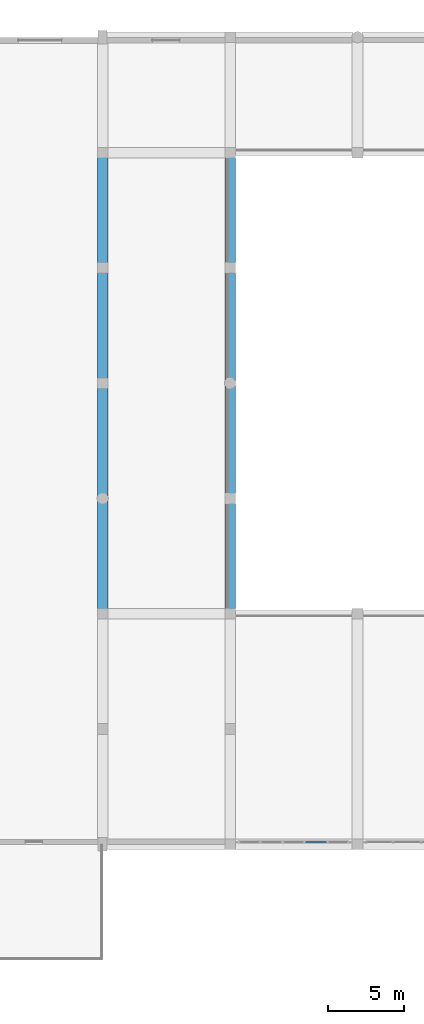
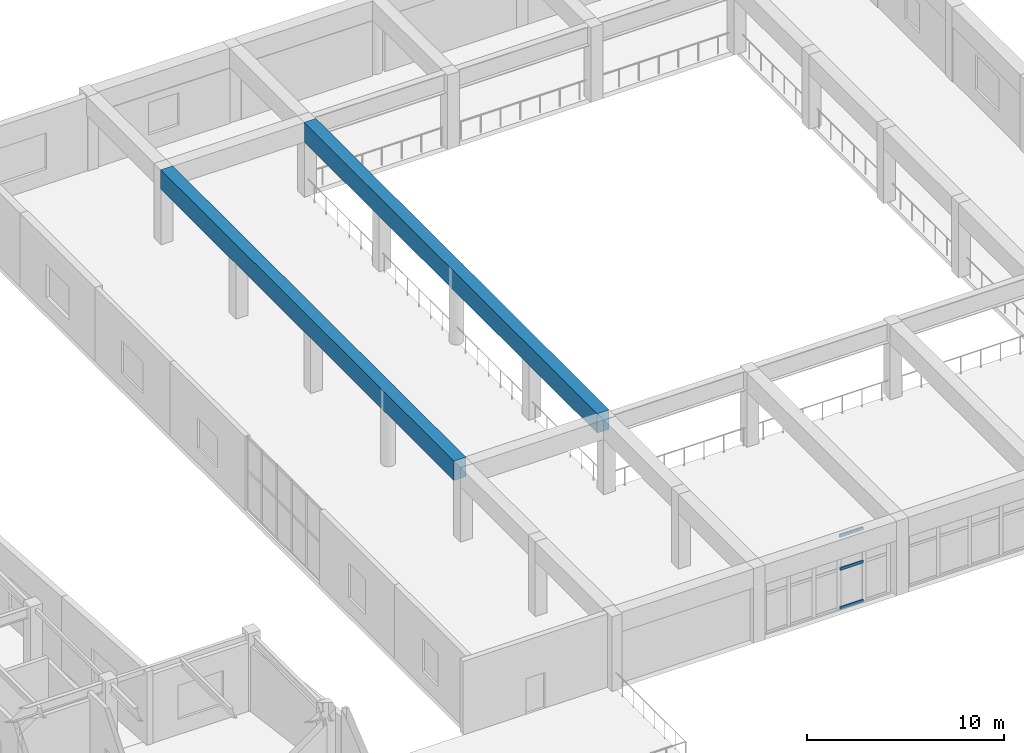
# One storey, part 17 of 72: 3 members, 2 beams, 1 element without a shape of its own.
"""IFC4 building model written with IfcOpenShell, lengths in metres."""

from ifc_helpers import new_model, si_unit, direction, frame, origin, origin_2d, place, context, subcontext, project, spatial, rectangle, hollow_rectangle, extrude, material, layer, layer_set, material_profile, profile_set, type_object, element, aggregate, save


model = new_model("IFC4")

# Units and contexts
model_context = context("Model", 3, precision=1e-05, world=origin(), true_north=direction((0.0, 1.0)))
body_context = subcontext(model_context, "Body", "Model", "MODEL_VIEW")
ifc_project = project(units=[si_unit("LENGTHUNIT", "METRE"), si_unit("AREAUNIT", "SQUARE_METRE"), si_unit("VOLUMEUNIT", "CUBIC_METRE"), si_unit("PLANEANGLEUNIT", "RADIAN"), si_unit("MASSUNIT", "GRAM", prefix="KILO")], contexts=[model_context])

# Site, building, storey
site_placement = place(None, origin())
site = spatial("IfcSite", under=ifc_project, at=site_placement, CompositionType="ELEMENT")
building_placement = place(site_placement, origin())
building = spatial("IfcBuilding", under=site, at=building_placement, Name="Xicomal Pleat Aquarium", CompositionType="ELEMENT")
storey_placement = place(building_placement, frame((0.0, 0.0, 10.5)))
storey = spatial("IfcBuildingStorey", under=building, at=storey_placement, Name="L03", CompositionType="ELEMENT", Elevation=10.5)

# Beams
ifc_material_1 = material(Name="Concrete C45/55", Category="concrete")
ifc_material_profile_1 = material_profile(ifc_material_1, rectangle(XDim=0.699951171875, YDim=1.199951171875, at=origin_2d()), Name="RC 700x1200")
ifc_profile_set_1 = profile_set([ifc_material_profile_1], Name="Concrete C45/55")
beam_type = type_object("IfcBeamType", Name="BM-RC-700x1200", PredefinedType="SPANDREL", material=ifc_profile_set_1)
for number, where, z_axis, x_axis, name in (
    (1, (52.199951171875, 45.89990234375, 4.034912109375), (0.0, 1.0, 0.0), (-1.0, 0.0, 0.0), "Ocean hall visible shell edge beam 07 G-L"),
    (2, (60.60009765625, 45.89990234375, 4.034912109375), (0.0, 1.0, 0.0), (-1.0, 0.0, 0.0), "Ocean hall visible shell edge beam 08 G-L"),
):
    element("IfcBeam", number, at=place(storey_placement, frame(where, z_axis=z_axis, x_axis=x_axis)), inside=storey, type_object=beam_type, Name=name, PredefinedType="SPANDREL", context=body_context, shape_type="SweptSolid", body=[
        extrude(rectangle(XDim=0.699951171875, YDim=1.199951171875, at=origin_2d()), origin(), (0.0, 0.0, 1.0), 29.800048828125),
    ])

# Curtain wall, members
ifc_material_2 = material(Name="Bronze anodized aluminium 6063-T6", Category="aluminium")
ifc_layer = layer(ifc_material_2, 0.159912109375)
ifc_layer_set = layer_set([ifc_layer], Name="Bronze anodized aluminium 6063-T6")
curtain_wall_type = type_object("IfcCurtainWallType", Name="CW-SYS-03", PredefinedType="NOTDEFINED", material=ifc_layer_set)
curtain_wall_placement = place(storey_placement, origin())
curtain_wall = element("IfcCurtainWall", 3, at=curtain_wall_placement, inside=storey, type_object=curtain_wall_type, Name="L03 unitised curtain wall CW-L03-167", PredefinedType="NOTDEFINED")
ifc_material_3 = material(Name="Bronze anodized aluminium 6063-T6", Category="aluminium")
ifc_material_profile_2 = material_profile(ifc_material_3, hollow_rectangle(XDim=0.0849609375, YDim=0.169921875, WallThickness=0.0048828125, at=origin_2d()), Name="ALU TRAN 85x170")
ifc_profile_set_2 = profile_set([ifc_material_profile_2], Name="Bronze anodized aluminium 6063-T6")
member_type = type_object("IfcMemberType", Name="CWT-85x170", PredefinedType="USERDEFINED", material=ifc_profile_set_2)
member_1_placement = place(storey_placement, frame((66.965576171875, 30.5400390625, 0.04248046875), z_axis=(-1.0, 0.0, 0.0), x_axis=(0.0, -1.0, 0.0)))
member_1 = element("IfcMember", 4, at=member_1_placement, type_object=member_type, Name="CW-03 transom 2.1", ObjectType="TRANSOM", PredefinedType="USERDEFINED", context=body_context, shape_type="SweptSolid", body=[
    extrude(hollow_rectangle(XDim=0.0849609375, YDim=0.169921875, WallThickness=0.0048828125, at=origin_2d()), origin(), (0.0, 0.0, 1.0), 1.386962890625),
])
member_2_placement = place(storey_placement, frame((66.965576171875, 30.5400390625, 2.4619140625), z_axis=(-1.0, 0.0, 0.0), x_axis=(0.0, -1.0, 0.0)))
member_2 = element("IfcMember", 5, at=member_2_placement, type_object=member_type, Name="CW-03 transom 2.2", ObjectType="TRANSOM", PredefinedType="USERDEFINED", context=body_context, shape_type="SweptSolid", body=[
    extrude(hollow_rectangle(XDim=0.0849609375, YDim=0.169921875, WallThickness=0.0048828125, at=origin_2d()), origin(), (0.0, 0.0, 1.0), 1.386962890625),
])
member_3_placement = place(storey_placement, frame((66.965576171875, 30.5400390625, 4.517578125), z_axis=(-1.0, 0.0, 0.0), x_axis=(0.0, -1.0, 0.0)))
member_3 = element("IfcMember", 6, at=member_3_placement, type_object=member_type, Name="CW-03 transom 2.3", ObjectType="TRANSOM", PredefinedType="USERDEFINED", context=body_context, shape_type="SweptSolid", body=[
    extrude(hollow_rectangle(XDim=0.0849609375, YDim=0.169921875, WallThickness=0.0048828125, at=origin_2d()), origin(), (0.0, 0.0, 1.0), 1.386962890625),
])
aggregate(curtain_wall, [member_1, member_2, member_3])

save(model, "model.ifc")
